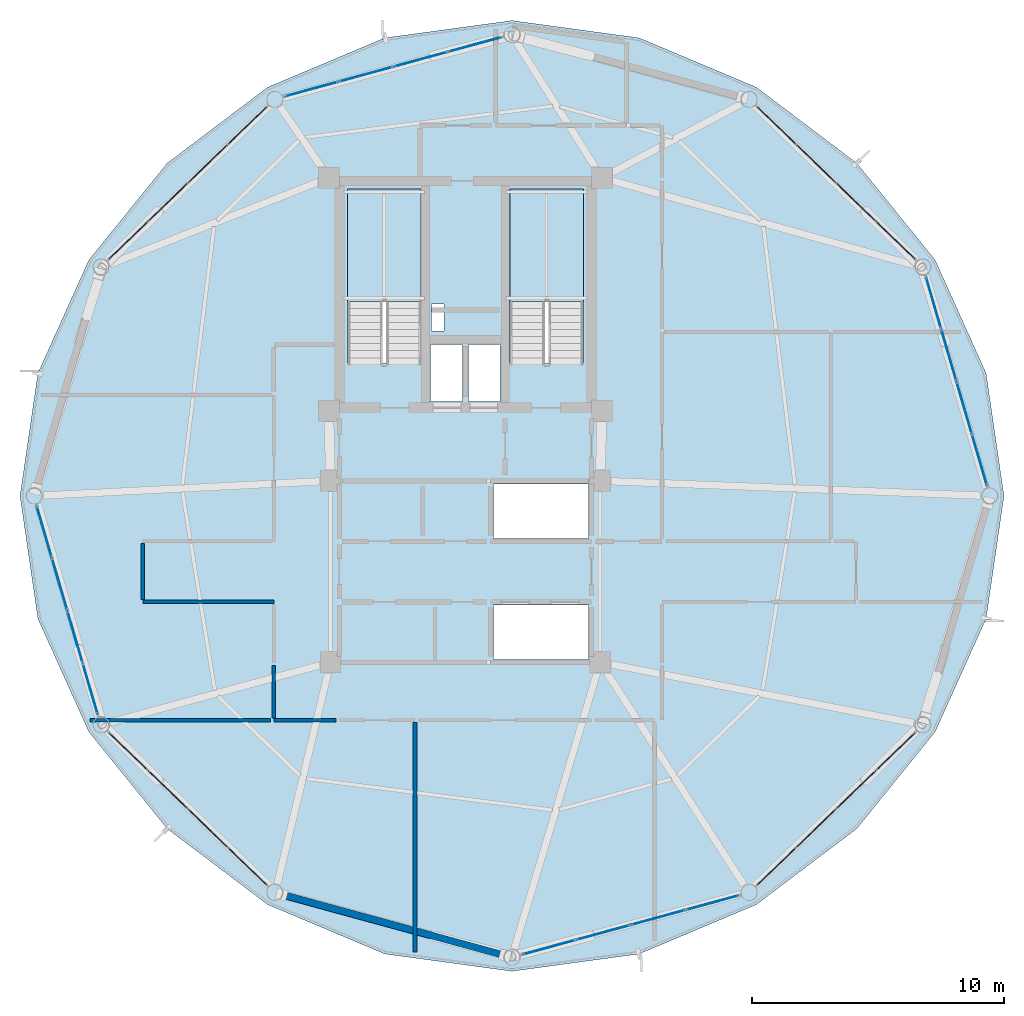
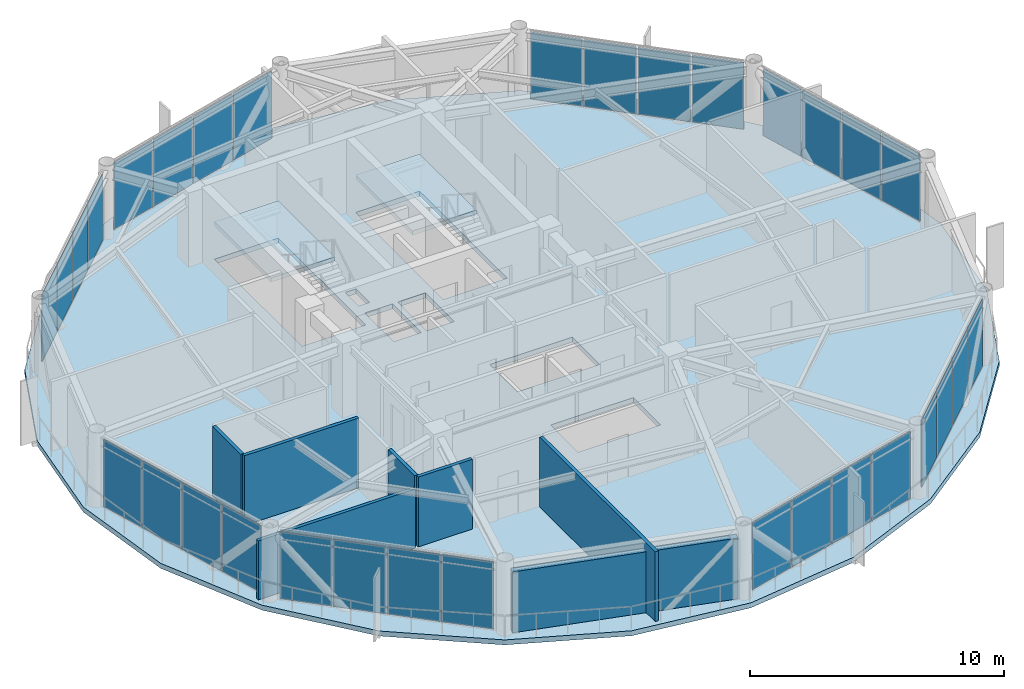
# One storey, part 20 of 26: 32 plates, 7 walls, 3 slabs, 10 elements without a shape of their own.
"""IFC4 building model written with IfcOpenShell, lengths in metres."""

from ifc_helpers import new_model, si_unit, direction, frame, frame_2d, origin, origin_2d, place, context, subcontext, project, spatial, polyline, rectangle, outline, extrude, source, transform, mapped, material, layer, layer_set, type_object, type_shapes, element, aggregate, save


model = new_model("IFC4")

# Units and contexts
model_context = context("Model", 3, precision=1e-05, world=origin(), true_north=direction((0.0, 1.0)))
body_context = subcontext(model_context, "Body", "Model", "MODEL_VIEW")
ifc_project = project(units=[si_unit("LENGTHUNIT", "METRE"), si_unit("AREAUNIT", "SQUARE_METRE"), si_unit("VOLUMEUNIT", "CUBIC_METRE"), si_unit("PLANEANGLEUNIT", "RADIAN"), si_unit("MASSUNIT", "GRAM", prefix="KILO")], contexts=[model_context])

# Site, building, storey
site_placement = place(None, origin())
site = spatial("IfcSite", under=ifc_project, at=site_placement, CompositionType="ELEMENT")
building_placement = place(site_placement, origin())
building = spatial("IfcBuilding", under=site, at=building_placement, Name="Varnakorn Sky Granary", CompositionType="ELEMENT")
storey_placement = place(building_placement, frame((0.0, 0.0, 222.0)))
storey = spatial("IfcBuildingStorey", under=building, at=storey_placement, Name="L56", CompositionType="ELEMENT", Elevation=222.0)

# Stair, slab
ifc_material_1 = material(Name="Concrete C40/50", Category="concrete")
stair_type = type_object("IfcStairType", Name="ST-MAIN-ASSEMBLY", PredefinedType="HALF_TURN_STAIR", material=ifc_material_1)
stair_1_placement = place(storey_placement, origin())
stair_1 = element("IfcStair", 1, at=stair_1_placement, inside=storey, type_object=stair_type, Name="L56 Protected Exit Stair ST-1", PredefinedType="HALF_TURN_STAIR")
ifc_layer_1 = layer(ifc_material_1, 0.199951171875, Name="Concrete C40/50")
ifc_layer_set_1 = layer_set([ifc_layer_1], Name="Concrete C40/50")
slab_type_1 = type_object("IfcSlabType", Name="ST-MAIN-LAND", PredefinedType="LANDING", material=ifc_layer_set_1)
slab_1_placement = place(storey_placement, frame((0.0, 0.0, 1.60009765625)))
slab_1 = element("IfcSlab", 2, at=slab_1_placement, type_object=slab_type_1, Name="ST-1 landing 1", PredefinedType="LANDING", context=body_context, shape_type="SweptSolid", body=[
    extrude(outline(polyline([(1.239990234375, 7.719970703125), (1.239990234375, 12.179931640625), (-1.669921875, 12.179931640625), (-1.669921875, 7.719970703125), (1.239990234375, 7.719970703125)])), origin(), (0.0, 0.0, 1.0), 0.199951171875),
])
aggregate(stair_1, [slab_1])

stair_2_placement = place(storey_placement, origin())
stair_2 = element("IfcStair", 3, at=stair_2_placement, inside=storey, type_object=stair_type, Name="L56 Protected Exit Stair ST-2", PredefinedType="HALF_TURN_STAIR")
slab_2_placement = place(storey_placement, frame((0.0, 0.0, 1.60009765625)))
slab_2 = element("IfcSlab", 4, at=slab_2_placement, type_object=slab_type_1, Name="ST-2 landing 1", PredefinedType="LANDING", context=body_context, shape_type="SweptSolid", body=[
    extrude(outline(polyline([(7.679931640625, 7.719970703125), (7.679931640625, 12.179931640625), (4.77001953125, 12.179931640625), (4.77001953125, 7.719970703125), (7.679931640625, 7.719970703125)])), origin(), (0.0, 0.0, 1.0), 0.199951171875),
])
aggregate(stair_2, [slab_2])

# Slab
ifc_material_2 = material(Name="Concrete C50/60", Category="concrete")
ifc_layer_2 = layer(ifc_material_2, 0.239990234375, Name="Concrete C50/60")
ifc_layer_set_2 = layer_set([ifc_layer_2], Name="Concrete C50/60")
slab_type_2 = type_object("IfcSlabType", Name="ST-SL-TWR-240", PredefinedType="FLOOR", material=ifc_layer_set_2)
slab_3_placement = place(storey_placement, frame((0.0, 0.0, -0.239990234375)))
element("IfcSlab", 5, at=slab_3_placement, inside=storey, type_object=slab_type_2, Name="Level L56 Structural Floor Slab", PredefinedType="FLOOR", context=body_context, shape_type="SweptSolid", body=[
    extrude(outline(polyline([(24.368896484375, 0.0), (23.660400390625, 4.86962890625), (21.636962890625, 9.362548828125), (18.524658203125, 13.208740234375), (14.5419921875, 16.21630859375), (9.89013671875, 18.173828125), (4.85009765625, 18.860107421875), (-0.190185546875, 18.173828125), (-4.842041015625, 16.21630859375), (-8.82470703125, 13.208740234375), (-11.93701171875, 9.362548828125), (-13.96044921875, 4.86962890625), (-14.6689453125, 0.0), (-13.96044921875, -4.86962890625), (-11.93701171875, -9.362548828125), (-8.82470703125, -13.208740234375), (-4.842041015625, -16.21630859375), (-0.190185546875, -18.173828125), (4.85009765625, -18.860107421875), (9.89013671875, -18.173828125), (14.5419921875, -16.21630859375), (18.524658203125, -13.208740234375), (21.636962890625, -9.362548828125), (23.660400390625, -4.86962890625), (24.368896484375, 0.0)]), holes=[polyline([(1.239990234375, 5.27490234375), (1.239990234375, 12.179931640625), (-1.669921875, 12.179931640625), (-1.669921875, 5.27490234375), (1.239990234375, 5.27490234375)]), polyline([(7.679931640625, 5.27490234375), (7.679931640625, 12.179931640625), (4.77001953125, 12.179931640625), (4.77001953125, 5.27490234375), (7.679931640625, 5.27490234375)]), polyline([(1.659912109375, 6.550048828125), (2.14990234375, 6.550048828125), (2.14990234375, 7.6201171875), (1.659912109375, 7.6201171875), (1.659912109375, 6.550048828125)]), polyline([(1.6201171875, 3.739990234375), (2.8798828125, 3.739990234375), (2.8798828125, 6.010009765625), (1.6201171875, 6.010009765625), (1.6201171875, 3.739990234375)]), polyline([(3.1201171875, 3.739990234375), (4.3798828125, 3.739990234375), (4.3798828125, 6.010009765625), (3.1201171875, 6.010009765625), (3.1201171875, 3.739990234375)]), polyline([(4.1201171875, -1.679931640625), (7.8798828125, -1.679931640625), (7.8798828125, 0.47998046875), (4.1201171875, 0.47998046875), (4.1201171875, -1.679931640625)]), polyline([(4.1201171875, -6.47998046875), (7.8798828125, -6.47998046875), (7.8798828125, -4.320068359375), (4.1201171875, -4.320068359375), (4.1201171875, -6.47998046875)])]), origin(), (0.0, 0.0, 1.0), 0.239990234375),
])

# Curtain wall, plates
ifc_material_3 = material(Name="Anodised Bronze Aluminium Alloy 6063-T6", Category="aluminium")
ifc_layer_3 = layer(ifc_material_3, 0.169921875, Name="Anodised Bronze Aluminium Alloy 6063-T6")
ifc_layer_set_3 = layer_set([ifc_layer_3], Name="Anodised Bronze Aluminium Alloy 6063-T6")
curtain_wall_type = type_object("IfcCurtainWallType", Name="CW-LAB-1", PredefinedType="USERDEFINED", material=ifc_layer_set_3)
curtain_wall_1_placement = place(storey_placement, origin())
curtain_wall_1 = element("IfcCurtainWall", 6, at=curtain_wall_1_placement, inside=storey, type_object=curtain_wall_type, Name="Unitised Curtain Wall CW5 CW-L56-B01", ObjectType="CURTAIN WALL", PredefinedType="USERDEFINED")
ifc_material_4 = material(Name="Opaque Insulated Aluminium Shadow-Box Unit", Category="aluminium")
ifc_layer_4 = layer(ifc_material_4, 0.033935546875, Name="Opaque Insulated Aluminium Shadow-Box Unit")
ifc_layer_set_4 = layer_set([ifc_layer_4], Name="Opaque Insulated Aluminium Shadow-Box Unit")
plate_type = type_object("IfcPlateType", Name="CW-LAB-1-PNL", PredefinedType="CURTAIN_PANEL")
shared_shape_1 = source(origin(), body_context, "Body", "SweptSolid", [
    extrude(rectangle(XDim=2.07470703125, YDim=0.033935546875, at=origin_2d()), origin(), (0.0, 0.0, 1.0), 3.219970703125),
])
plate_1_placement = place(storey_placement, frame((21.57958984375, 7.6552734375, 0.06982421875), z_axis=(0.0, 0.0, 1.0), x_axis=(0.280755241964, -0.959779398669, 0.0)))
plate_1 = element("IfcPlate", 7, at=plate_1_placement, type_object=plate_type, material=ifc_layer_set_4, Name="CW5 opaque insulated shadow-box unit 1.1", PredefinedType="CURTAIN_PANEL", context=body_context, shape_type="MappedRepresentation", body=[
    mapped(shared_shape_1, transform((0.0, 0.0, 0.0), x_axis=(1.0, 0.0, 0.0), y_axis=(0.0, 1.0, 0.0), z_axis=(0.0, 0.0, 1.0), scale=1.0)),
])
ifc_material_5 = material(Name="Low-E Tinted Laminated Glass", Category="glass")
ifc_layer_5 = layer(ifc_material_5, 0.033935546875, Name="Low-E Tinted Laminated Glass")
ifc_layer_set_5 = layer_set([ifc_layer_5], Name="Low-E Tinted Laminated Glass")
plate_2_placement = place(storey_placement, frame((23.400146484375, 1.432373046875, 0.06982421875), z_axis=(0.0, 0.0, 1.0), x_axis=(0.280755241964, -0.959779398669, 0.0)))
plate_2 = element("IfcPlate", 8, at=plate_2_placement, type_object=plate_type, material=ifc_layer_set_5, Name="CW5 vision glazing unit 4.1", PredefinedType="CURTAIN_PANEL", context=body_context, shape_type="MappedRepresentation", body=[
    mapped(shared_shape_1, transform((0.0, 0.0, 0.0), x_axis=(1.0, 0.0, 0.0), y_axis=(0.0, 1.0, 0.0), z_axis=(0.0, 0.0, 1.0), scale=1.0)),
])

curtain_wall_2_placement = place(storey_placement, origin())
curtain_wall_2 = element("IfcCurtainWall", 9, at=curtain_wall_2_placement, inside=storey, type_object=curtain_wall_type, Name="Unitised Curtain Wall CW5 CW-L56-B07", ObjectType="CURTAIN WALL", PredefinedType="USERDEFINED")
plate_3_placement = place(storey_placement, frame((-11.879638671875, -7.6552734375, 0.06982421875), z_axis=(0.0, 0.0, 1.0), x_axis=(-0.280755241964, 0.959779398669, 0.0)))
plate_3 = element("IfcPlate", 10, at=plate_3_placement, type_object=plate_type, material=ifc_layer_set_4, Name="CW5 opaque insulated shadow-box unit 1.1", PredefinedType="CURTAIN_PANEL", context=body_context, shape_type="MappedRepresentation", body=[
    mapped(shared_shape_1, transform((0.0, 0.0, 0.0), x_axis=(1.0, 0.0, 0.0), y_axis=(0.0, 1.0, 0.0), z_axis=(0.0, 0.0, 1.0), scale=1.0)),
])
plate_4_placement = place(storey_placement, frame((-13.699951171875, -1.432373046875, 0.06982421875), z_axis=(0.0, 0.0, 1.0), x_axis=(-0.280755241964, 0.959779398669, 0.0)))
plate_4 = element("IfcPlate", 11, at=plate_4_placement, type_object=plate_type, material=ifc_layer_set_5, Name="CW5 vision glazing unit 4.1", PredefinedType="CURTAIN_PANEL", context=body_context, shape_type="MappedRepresentation", body=[
    mapped(shared_shape_1, transform((0.0, 0.0, 0.0), x_axis=(1.0, 0.0, 0.0), y_axis=(0.0, 1.0, 0.0), z_axis=(0.0, 0.0, 1.0), scale=1.0)),
])

# Plate
shared_shape_2 = source(origin(), body_context, "Body", "SweptSolid", [
    extrude(rectangle(XDim=2.107177734375, YDim=0.033935546875, at=origin_2d()), origin(), (0.0, 0.0, 1.0), 3.219970703125),
])
plate_5_placement = place(storey_placement, frame((22.18505859375, 5.586181640625, 0.06982421875), z_axis=(0.0, 0.0, 1.0), x_axis=(0.280755241964, -0.959779398669, 0.0)))
plate_5 = element("IfcPlate", 12, at=plate_5_placement, type_object=plate_type, material=ifc_layer_set_4, Name="CW5 opaque insulated shadow-box unit 2.1", PredefinedType="CURTAIN_PANEL", context=body_context, shape_type="MappedRepresentation", body=[
    mapped(shared_shape_2, transform((0.0, 0.0, 0.0), x_axis=(1.0, 0.0, 0.0), y_axis=(0.0, 1.0, 0.0), z_axis=(0.0, 0.0, 1.0), scale=1.0)),
])

plate_6_placement = place(storey_placement, frame((22.794677734375, 3.50146484375, 0.06982421875), z_axis=(0.0, 0.0, 1.0), x_axis=(0.280755241964, -0.959779398669, 0.0)))
plate_6 = element("IfcPlate", 13, at=plate_6_placement, type_object=plate_type, material=ifc_layer_set_5, Name="CW5 vision glazing unit 3.1", PredefinedType="CURTAIN_PANEL", context=body_context, shape_type="MappedRepresentation", body=[
    mapped(shared_shape_2, transform((0.0, 0.0, 0.0), x_axis=(1.0, 0.0, 0.0), y_axis=(0.0, 1.0, 0.0), z_axis=(0.0, 0.0, 1.0), scale=1.0)),
])

aggregate(curtain_wall_1, [plate_1, plate_5, plate_6, plate_2])

plate_7_placement = place(storey_placement, frame((-12.48486328125, -5.586181640625, 0.06982421875), z_axis=(0.0, 0.0, 1.0), x_axis=(-0.280755241964, 0.959779398669, 0.0)))
plate_7 = element("IfcPlate", 14, at=plate_7_placement, type_object=plate_type, material=ifc_layer_set_4, Name="CW5 opaque insulated shadow-box unit 2.1", PredefinedType="CURTAIN_PANEL", context=body_context, shape_type="MappedRepresentation", body=[
    mapped(shared_shape_2, transform((0.0, 0.0, 0.0), x_axis=(1.0, 0.0, 0.0), y_axis=(0.0, 1.0, 0.0), z_axis=(0.0, 0.0, 1.0), scale=1.0)),
])

plate_8_placement = place(storey_placement, frame((-13.0947265625, -3.50146484375, 0.06982421875), z_axis=(0.0, 0.0, 1.0), x_axis=(-0.280755241964, 0.959779398669, 0.0)))
plate_8 = element("IfcPlate", 15, at=plate_8_placement, type_object=plate_type, material=ifc_layer_set_5, Name="CW5 vision glazing unit 3.1", PredefinedType="CURTAIN_PANEL", context=body_context, shape_type="MappedRepresentation", body=[
    mapped(shared_shape_2, transform((0.0, 0.0, 0.0), x_axis=(1.0, 0.0, 0.0), y_axis=(0.0, 1.0, 0.0), z_axis=(0.0, 0.0, 1.0), scale=1.0)),
])

aggregate(curtain_wall_2, [plate_3, plate_7, plate_8, plate_4])

# Curtain wall, plates
curtain_wall_3_placement = place(storey_placement, origin())
curtain_wall_3 = element("IfcCurtainWall", 16, at=curtain_wall_3_placement, inside=storey, type_object=curtain_wall_type, Name="Unitised Curtain Wall CW5 CW-L56-B02", ObjectType="CURTAIN WALL", PredefinedType="USERDEFINED")
shared_shape_3 = source(origin(), body_context, "Body", "SweptSolid", [
    extrude(rectangle(XDim=2.1025390625, YDim=0.033935546875, at=origin_2d()), origin(), (0.0, 0.0, 1.0), 3.219970703125),
])
plate_9_placement = place(storey_placement, frame((15.350830078125, 14.694091796875, 0.06982421875), z_axis=(0.0, 0.0, 1.0), x_axis=(0.719585291222, -0.694404067281, 0.0)))
plate_9 = element("IfcPlate", 17, at=plate_9_placement, type_object=plate_type, material=ifc_layer_set_5, Name="CW5 vision glazing unit 1.1", PredefinedType="CURTAIN_PANEL", context=body_context, shape_type="MappedRepresentation", body=[
    mapped(shared_shape_3, transform((0.0, 0.0, 0.0), x_axis=(1.0, 0.0, 0.0), y_axis=(0.0, 1.0, 0.0), z_axis=(0.0, 0.0, 1.0), scale=1.0)),
])
plate_10_placement = place(storey_placement, frame((20.076904296875, 10.133544921875, 0.06982421875), z_axis=(0.0, 0.0, 1.0), x_axis=(0.719585291222, -0.694404067281, 0.0)))
plate_10 = element("IfcPlate", 18, at=plate_10_placement, type_object=plate_type, material=ifc_layer_set_4, Name="CW5 opaque insulated shadow-box unit 4.1", PredefinedType="CURTAIN_PANEL", context=body_context, shape_type="MappedRepresentation", body=[
    mapped(shared_shape_3, transform((0.0, 0.0, 0.0), x_axis=(1.0, 0.0, 0.0), y_axis=(0.0, 1.0, 0.0), z_axis=(0.0, 0.0, 1.0), scale=1.0)),
])

curtain_wall_4_placement = place(storey_placement, origin())
curtain_wall_4 = element("IfcCurtainWall", 19, at=curtain_wall_4_placement, inside=storey, type_object=curtain_wall_type, Name="Unitised Curtain Wall CW5 CW-L56-B05", ObjectType="CURTAIN WALL", PredefinedType="USERDEFINED")
plate_11_placement = place(storey_placement, frame((-10.376953125, 10.133544921875, 0.06982421875), z_axis=(0.0, 0.0, 1.0), x_axis=(0.719585291222, 0.694404067281, 0.0)))
plate_11 = element("IfcPlate", 20, at=plate_11_placement, type_object=plate_type, material=ifc_layer_set_4, Name="CW5 opaque insulated shadow-box unit 1.1", PredefinedType="CURTAIN_PANEL", context=body_context, shape_type="MappedRepresentation", body=[
    mapped(shared_shape_3, transform((0.0, 0.0, 0.0), x_axis=(1.0, 0.0, 0.0), y_axis=(0.0, 1.0, 0.0), z_axis=(0.0, 0.0, 1.0), scale=1.0)),
])
plate_12_placement = place(storey_placement, frame((-5.65087890625, 14.694091796875, 0.06982421875), z_axis=(0.0, 0.0, 1.0), x_axis=(0.719585291222, 0.694404067281, 0.0)))
plate_12 = element("IfcPlate", 21, at=plate_12_placement, type_object=plate_type, material=ifc_layer_set_5, Name="CW5 vision glazing unit 4.1", PredefinedType="CURTAIN_PANEL", context=body_context, shape_type="MappedRepresentation", body=[
    mapped(shared_shape_3, transform((0.0, 0.0, 0.0), x_axis=(1.0, 0.0, 0.0), y_axis=(0.0, 1.0, 0.0), z_axis=(0.0, 0.0, 1.0), scale=1.0)),
])

curtain_wall_5_placement = place(storey_placement, origin())
curtain_wall_5 = element("IfcCurtainWall", 22, at=curtain_wall_5_placement, inside=storey, type_object=curtain_wall_type, Name="Unitised Curtain Wall CW5 CW-L56-B08", ObjectType="CURTAIN WALL", PredefinedType="USERDEFINED")
plate_13_placement = place(storey_placement, frame((-5.65087890625, -14.694091796875, 0.06982421875), z_axis=(0.0, 0.0, 1.0), x_axis=(-0.719585291222, 0.694404067281, 0.0)))
plate_13 = element("IfcPlate", 23, at=plate_13_placement, type_object=plate_type, material=ifc_layer_set_5, Name="CW5 vision glazing unit 1.1", PredefinedType="CURTAIN_PANEL", context=body_context, shape_type="MappedRepresentation", body=[
    mapped(shared_shape_3, transform((0.0, 0.0, 0.0), x_axis=(1.0, 0.0, 0.0), y_axis=(0.0, 1.0, 0.0), z_axis=(0.0, 0.0, 1.0), scale=1.0)),
])
plate_14_placement = place(storey_placement, frame((-10.376953125, -10.133544921875, 0.06982421875), z_axis=(0.0, 0.0, 1.0), x_axis=(-0.719585291222, 0.694404067281, 0.0)))
plate_14 = element("IfcPlate", 24, at=plate_14_placement, type_object=plate_type, material=ifc_layer_set_4, Name="CW5 opaque insulated shadow-box unit 4.1", PredefinedType="CURTAIN_PANEL", context=body_context, shape_type="MappedRepresentation", body=[
    mapped(shared_shape_3, transform((0.0, 0.0, 0.0), x_axis=(1.0, 0.0, 0.0), y_axis=(0.0, 1.0, 0.0), z_axis=(0.0, 0.0, 1.0), scale=1.0)),
])

curtain_wall_6_placement = place(storey_placement, origin())
curtain_wall_6 = element("IfcCurtainWall", 25, at=curtain_wall_6_placement, inside=storey, type_object=curtain_wall_type, Name="Unitised Curtain Wall CW5 CW-L56-B11", ObjectType="CURTAIN WALL", PredefinedType="USERDEFINED")
plate_15_placement = place(storey_placement, frame((20.076904296875, -10.133544921875, 0.06982421875), z_axis=(0.0, 0.0, 1.0), x_axis=(-0.719585291222, -0.694404067281, 0.0)))
plate_15 = element("IfcPlate", 26, at=plate_15_placement, type_object=plate_type, material=ifc_layer_set_4, Name="CW5 opaque insulated shadow-box unit 1.1", PredefinedType="CURTAIN_PANEL", context=body_context, shape_type="MappedRepresentation", body=[
    mapped(shared_shape_3, transform((0.0, 0.0, 0.0), x_axis=(1.0, 0.0, 0.0), y_axis=(0.0, 1.0, 0.0), z_axis=(0.0, 0.0, 1.0), scale=1.0)),
])
plate_16_placement = place(storey_placement, frame((15.350830078125, -14.694091796875, 0.06982421875), z_axis=(0.0, 0.0, 1.0), x_axis=(-0.719585291222, -0.694404067281, 0.0)))
plate_16 = element("IfcPlate", 27, at=plate_16_placement, type_object=plate_type, material=ifc_layer_set_5, Name="CW5 vision glazing unit 4.1", PredefinedType="CURTAIN_PANEL", context=body_context, shape_type="MappedRepresentation", body=[
    mapped(shared_shape_3, transform((0.0, 0.0, 0.0), x_axis=(1.0, 0.0, 0.0), y_axis=(0.0, 1.0, 0.0), z_axis=(0.0, 0.0, 1.0), scale=1.0)),
])

# Plate
shared_shape_4 = source(origin(), body_context, "Body", "SweptSolid", [
    extrude(rectangle(XDim=2.135009765625, YDim=0.033935546875, at=origin_2d()), origin(), (0.0, 0.0, 1.0), 3.219970703125),
])
plate_17_placement = place(storey_placement, frame((16.92236328125, 13.177734375, 0.06982421875), z_axis=(0.0, 0.0, 1.0), x_axis=(0.719585291222, -0.694404067281, 0.0)))
plate_17 = element("IfcPlate", 28, at=plate_17_placement, type_object=plate_type, material=ifc_layer_set_5, Name="CW5 vision glazing unit 2.1", PredefinedType="CURTAIN_PANEL", context=body_context, shape_type="MappedRepresentation", body=[
    mapped(shared_shape_4, transform((0.0, 0.0, 0.0), x_axis=(1.0, 0.0, 0.0), y_axis=(0.0, 1.0, 0.0), z_axis=(0.0, 0.0, 1.0), scale=1.0)),
])

plate_18_placement = place(storey_placement, frame((18.50537109375, 11.64990234375, 0.06982421875), z_axis=(0.0, 0.0, 1.0), x_axis=(0.719585291222, -0.694404067281, 0.0)))
plate_18 = element("IfcPlate", 29, at=plate_18_placement, type_object=plate_type, material=ifc_layer_set_4, Name="CW5 opaque insulated shadow-box unit 3.1", PredefinedType="CURTAIN_PANEL", context=body_context, shape_type="MappedRepresentation", body=[
    mapped(shared_shape_4, transform((0.0, 0.0, 0.0), x_axis=(1.0, 0.0, 0.0), y_axis=(0.0, 1.0, 0.0), z_axis=(0.0, 0.0, 1.0), scale=1.0)),
])

aggregate(curtain_wall_3, [plate_9, plate_17, plate_18, plate_10])

plate_19_placement = place(storey_placement, frame((-8.805419921875, 11.64990234375, 0.06982421875), z_axis=(0.0, 0.0, 1.0), x_axis=(0.719585291222, 0.694404067281, 0.0)))
plate_19 = element("IfcPlate", 30, at=plate_19_placement, type_object=plate_type, material=ifc_layer_set_4, Name="CW5 opaque insulated shadow-box unit 2.1", PredefinedType="CURTAIN_PANEL", context=body_context, shape_type="MappedRepresentation", body=[
    mapped(shared_shape_4, transform((0.0, 0.0, 0.0), x_axis=(1.0, 0.0, 0.0), y_axis=(0.0, 1.0, 0.0), z_axis=(0.0, 0.0, 1.0), scale=1.0)),
])

plate_20_placement = place(storey_placement, frame((-7.22216796875, 13.177734375, 0.06982421875), z_axis=(0.0, 0.0, 1.0), x_axis=(0.719585291222, 0.694404067281, 0.0)))
plate_20 = element("IfcPlate", 31, at=plate_20_placement, type_object=plate_type, material=ifc_layer_set_5, Name="CW5 vision glazing unit 3.1", PredefinedType="CURTAIN_PANEL", context=body_context, shape_type="MappedRepresentation", body=[
    mapped(shared_shape_4, transform((0.0, 0.0, 0.0), x_axis=(1.0, 0.0, 0.0), y_axis=(0.0, 1.0, 0.0), z_axis=(0.0, 0.0, 1.0), scale=1.0)),
])

aggregate(curtain_wall_4, [plate_11, plate_19, plate_20, plate_12])

plate_21_placement = place(storey_placement, frame((-7.22216796875, -13.177734375, 0.06982421875), z_axis=(0.0, 0.0, 1.0), x_axis=(-0.719585291222, 0.694404067281, 0.0)))
plate_21 = element("IfcPlate", 32, at=plate_21_placement, type_object=plate_type, material=ifc_layer_set_5, Name="CW5 vision glazing unit 2.1", PredefinedType="CURTAIN_PANEL", context=body_context, shape_type="MappedRepresentation", body=[
    mapped(shared_shape_4, transform((0.0, 0.0, 0.0), x_axis=(1.0, 0.0, 0.0), y_axis=(0.0, 1.0, 0.0), z_axis=(0.0, 0.0, 1.0), scale=1.0)),
])

plate_22_placement = place(storey_placement, frame((-8.805419921875, -11.64990234375, 0.06982421875), z_axis=(0.0, 0.0, 1.0), x_axis=(-0.719585291222, 0.694404067281, 0.0)))
plate_22 = element("IfcPlate", 33, at=plate_22_placement, type_object=plate_type, material=ifc_layer_set_4, Name="CW5 opaque insulated shadow-box unit 3.1", PredefinedType="CURTAIN_PANEL", context=body_context, shape_type="MappedRepresentation", body=[
    mapped(shared_shape_4, transform((0.0, 0.0, 0.0), x_axis=(1.0, 0.0, 0.0), y_axis=(0.0, 1.0, 0.0), z_axis=(0.0, 0.0, 1.0), scale=1.0)),
])

aggregate(curtain_wall_5, [plate_13, plate_21, plate_22, plate_14])

plate_23_placement = place(storey_placement, frame((18.50537109375, -11.64990234375, 0.06982421875), z_axis=(0.0, 0.0, 1.0), x_axis=(-0.719585291222, -0.694404067281, 0.0)))
plate_23 = element("IfcPlate", 34, at=plate_23_placement, type_object=plate_type, material=ifc_layer_set_4, Name="CW5 opaque insulated shadow-box unit 2.1", PredefinedType="CURTAIN_PANEL", context=body_context, shape_type="MappedRepresentation", body=[
    mapped(shared_shape_4, transform((0.0, 0.0, 0.0), x_axis=(1.0, 0.0, 0.0), y_axis=(0.0, 1.0, 0.0), z_axis=(0.0, 0.0, 1.0), scale=1.0)),
])

plate_24_placement = place(storey_placement, frame((16.92236328125, -13.177734375, 0.06982421875), z_axis=(0.0, 0.0, 1.0), x_axis=(-0.719585291222, -0.694404067281, 0.0)))
plate_24 = element("IfcPlate", 35, at=plate_24_placement, type_object=plate_type, material=ifc_layer_set_5, Name="CW5 vision glazing unit 3.1", PredefinedType="CURTAIN_PANEL", context=body_context, shape_type="MappedRepresentation", body=[
    mapped(shared_shape_4, transform((0.0, 0.0, 0.0), x_axis=(1.0, 0.0, 0.0), y_axis=(0.0, 1.0, 0.0), z_axis=(0.0, 0.0, 1.0), scale=1.0)),
])

aggregate(curtain_wall_6, [plate_15, plate_23, plate_24, plate_16])

# Curtain wall, plates
curtain_wall_7_placement = place(storey_placement, origin())
curtain_wall_7 = element("IfcCurtainWall", 36, at=curtain_wall_7_placement, inside=storey, type_object=curtain_wall_type, Name="Unitised Curtain Wall CW5 CW-L56-B04", ObjectType="CURTAIN WALL", PredefinedType="USERDEFINED")
shared_shape_5 = source(origin(), body_context, "Body", "SweptSolid", [
    extrude(rectangle(XDim=2.14794921875, YDim=0.033935546875, at=origin_2d()), origin(), (0.0, 0.0, 1.0), 3.219970703125),
])
plate_25_placement = place(storey_placement, frame((-3.092041015625, 16.142578125, 0.06982421875), z_axis=(0.0, 0.0, 1.0), x_axis=(0.96472064241, 0.263275677014, 0.0)))
plate_25 = element("IfcPlate", 37, at=plate_25_placement, type_object=plate_type, material=ifc_layer_set_5, Name="CW5 vision glazing unit 1.1", PredefinedType="CURTAIN_PANEL", context=body_context, shape_type="MappedRepresentation", body=[
    mapped(shared_shape_5, transform((0.0, 0.0, 0.0), x_axis=(1.0, 0.0, 0.0), y_axis=(0.0, 1.0, 0.0), z_axis=(0.0, 0.0, 1.0), scale=1.0)),
])
plate_26_placement = place(storey_placement, frame((3.375, 17.907470703125, 0.06982421875), z_axis=(0.0, 0.0, 1.0), x_axis=(0.96472064241, 0.263275677014, 0.0)))
plate_26 = element("IfcPlate", 38, at=plate_26_placement, type_object=plate_type, material=ifc_layer_set_4, Name="CW5 opaque insulated shadow-box unit 4.1", PredefinedType="CURTAIN_PANEL", context=body_context, shape_type="MappedRepresentation", body=[
    mapped(shared_shape_5, transform((0.0, 0.0, 0.0), x_axis=(1.0, 0.0, 0.0), y_axis=(0.0, 1.0, 0.0), z_axis=(0.0, 0.0, 1.0), scale=1.0)),
])

curtain_wall_8_placement = place(storey_placement, origin())
curtain_wall_8 = element("IfcCurtainWall", 39, at=curtain_wall_8_placement, inside=storey, type_object=curtain_wall_type, Name="Unitised Curtain Wall CW5 CW-L56-B10", ObjectType="CURTAIN WALL", PredefinedType="USERDEFINED")
plate_27_placement = place(storey_placement, frame((12.7919921875, -16.142578125, 0.06982421875), z_axis=(0.0, 0.0, 1.0), x_axis=(-0.96472064241, -0.263275677014, 0.0)))
plate_27 = element("IfcPlate", 40, at=plate_27_placement, type_object=plate_type, material=ifc_layer_set_5, Name="CW5 vision glazing unit 1.1", PredefinedType="CURTAIN_PANEL", context=body_context, shape_type="MappedRepresentation", body=[
    mapped(shared_shape_5, transform((0.0, 0.0, 0.0), x_axis=(1.0, 0.0, 0.0), y_axis=(0.0, 1.0, 0.0), z_axis=(0.0, 0.0, 1.0), scale=1.0)),
])
plate_28_placement = place(storey_placement, frame((6.324951171875, -17.907470703125, 0.06982421875), z_axis=(0.0, 0.0, 1.0), x_axis=(-0.96472064241, -0.263275677014, 0.0)))
plate_28 = element("IfcPlate", 41, at=plate_28_placement, type_object=plate_type, material=ifc_layer_set_4, Name="CW5 opaque insulated shadow-box unit 4.1", PredefinedType="CURTAIN_PANEL", context=body_context, shape_type="MappedRepresentation", body=[
    mapped(shared_shape_5, transform((0.0, 0.0, 0.0), x_axis=(1.0, 0.0, 0.0), y_axis=(0.0, 1.0, 0.0), z_axis=(0.0, 0.0, 1.0), scale=1.0)),
])

# Plate
shared_shape_6 = source(origin(), body_context, "Body", "SweptSolid", [
    extrude(rectangle(XDim=2.180419921875, YDim=0.033935546875, at=origin_2d()), origin(), (0.0, 0.0, 1.0), 3.219970703125),
])
type_shapes(plate_type, [shared_shape_1, shared_shape_2, shared_shape_3, shared_shape_4, shared_shape_5, shared_shape_6])
plate_29_placement = place(storey_placement, frame((-0.941650390625, 16.7294921875, 0.06982421875), z_axis=(0.0, 0.0, 1.0), x_axis=(0.96472064241, 0.263275677014, 0.0)))
plate_29 = element("IfcPlate", 42, at=plate_29_placement, type_object=plate_type, material=ifc_layer_set_5, Name="CW5 vision glazing unit 2.1", PredefinedType="CURTAIN_PANEL", context=body_context, shape_type="MappedRepresentation", body=[
    mapped(shared_shape_6, transform((0.0, 0.0, 0.0), x_axis=(1.0, 0.0, 0.0), y_axis=(0.0, 1.0, 0.0), z_axis=(0.0, 0.0, 1.0), scale=1.0)),
])

plate_30_placement = place(storey_placement, frame((1.224609375, 17.320556640625, 0.06982421875), z_axis=(0.0, 0.0, 1.0), x_axis=(0.96472064241, 0.263275677014, 0.0)))
plate_30 = element("IfcPlate", 43, at=plate_30_placement, type_object=plate_type, material=ifc_layer_set_4, Name="CW5 opaque insulated shadow-box unit 3.1", PredefinedType="CURTAIN_PANEL", context=body_context, shape_type="MappedRepresentation", body=[
    mapped(shared_shape_6, transform((0.0, 0.0, 0.0), x_axis=(1.0, 0.0, 0.0), y_axis=(0.0, 1.0, 0.0), z_axis=(0.0, 0.0, 1.0), scale=1.0)),
])

aggregate(curtain_wall_7, [plate_25, plate_29, plate_30, plate_26])

plate_31_placement = place(storey_placement, frame((10.6416015625, -16.7294921875, 0.06982421875), z_axis=(0.0, 0.0, 1.0), x_axis=(-0.96472064241, -0.263275677014, 0.0)))
plate_31 = element("IfcPlate", 44, at=plate_31_placement, type_object=plate_type, material=ifc_layer_set_5, Name="CW5 vision glazing unit 2.1", PredefinedType="CURTAIN_PANEL", context=body_context, shape_type="MappedRepresentation", body=[
    mapped(shared_shape_6, transform((0.0, 0.0, 0.0), x_axis=(1.0, 0.0, 0.0), y_axis=(0.0, 1.0, 0.0), z_axis=(0.0, 0.0, 1.0), scale=1.0)),
])

plate_32_placement = place(storey_placement, frame((8.475341796875, -17.320556640625, 0.06982421875), z_axis=(0.0, 0.0, 1.0), x_axis=(-0.96472064241, -0.263275677014, 0.0)))
plate_32 = element("IfcPlate", 45, at=plate_32_placement, type_object=plate_type, material=ifc_layer_set_4, Name="CW5 opaque insulated shadow-box unit 3.1", PredefinedType="CURTAIN_PANEL", context=body_context, shape_type="MappedRepresentation", body=[
    mapped(shared_shape_6, transform((0.0, 0.0, 0.0), x_axis=(1.0, 0.0, 0.0), y_axis=(0.0, 1.0, 0.0), z_axis=(0.0, 0.0, 1.0), scale=1.0)),
])

aggregate(curtain_wall_8, [plate_27, plate_31, plate_32, plate_28])

# Walls
ifc_material_6 = material(Name="Precast concrete C40/50", Category="concrete")
ifc_layer_6 = layer(ifc_material_6, 0.280029296875, Name="Precast concrete C40/50")
ifc_layer_set_6 = layer_set([ifc_layer_6], Name="Precast concrete C40/50")
wall_type_1 = type_object("IfcWallType", Name="WT-EW-CRN-280", PredefinedType="SOLIDWALL", material=ifc_layer_set_6)
wall_1_placement = place(storey_placement, frame((4.5751953125, -18.235107421875, 0.0), z_axis=(0.0, 0.0, 1.0), x_axis=(-0.964712927754, 0.263303944186, 0.0)))
element("IfcWall", 46, at=wall_1_placement, inside=storey, type_object=wall_type_1, Name="Agritech Insulated Precast Facade Wall L56-P09", PredefinedType="SOLIDWALL", context=body_context, shape_type="SweptSolid", body=[
    extrude(rectangle(XDim=9.191650390625, YDim=0.280029296875, at=frame_2d((4.595703125, 0.0))), origin(), (0.0, 0.0, 1.0), 2.929931640625),
])
ifc_material_7 = material(Name="Gypsum Plasterboard on Steel Stud", Category="steel")
ifc_layer_7 = layer(ifc_material_7, 0.14990234375, Name="Gypsum Plasterboard on Steel Stud")
ifc_layer_set_7 = layer_set([ifc_layer_7], Name="Gypsum Plasterboard on Steel Stud")
wall_type_2 = type_object("IfcWallType", Name="WT-PART-150", PredefinedType="PARTITIONING", material=ifc_layer_set_7)
wall_2_placement = place(storey_placement, frame((-4.60009765625, -8.89990234375, 0.0), z_axis=(0.0, 0.0, 1.0), x_axis=(1.0, 0.0, 0.0)))
element("IfcWall", 47, at=wall_2_placement, inside=storey, type_object=wall_type_2, Name="Interior Partition Wall L56-035", PredefinedType="PARTITIONING", context=body_context, shape_type="SweptSolid", body=[
    extrude(rectangle(XDim=2.465087890625, YDim=0.14990234375, at=frame_2d((1.232421875, 0.0))), origin(), (0.0, 0.0, 1.0), 3.360107421875),
])
wall_3_placement = place(storey_placement, frame((1.0, -8.985107421875, 0.0), z_axis=(0.0, 0.0, 1.0), x_axis=(0.0, -1.0, 0.0)))
element("IfcWall", 48, at=wall_3_placement, inside=storey, type_object=wall_type_2, Name="Interior Partition Wall L56-036", PredefinedType="PARTITIONING", context=body_context, shape_type="SweptSolid", body=[
    extrude(rectangle(XDim=9.11083984375, YDim=0.14990234375, at=frame_2d((4.555419921875, 0.0))), origin(), (0.0, 0.0, 1.0), 3.360107421875),
])
wall_4_placement = place(storey_placement, frame((-11.884033203125, -8.89990234375, 0.0), z_axis=(0.0, 0.0, 1.0), x_axis=(1.0, 0.0, 0.0)))
element("IfcWall", 49, at=wall_4_placement, inside=storey, type_object=wall_type_2, Name="Interior Partition Wall L56-037", PredefinedType="PARTITIONING", context=body_context, shape_type="SweptSolid", body=[
    extrude(rectangle(XDim=7.14892578125, YDim=0.14990234375, at=frame_2d((3.574462890625, 0.0))), origin(), (0.0, 0.0, 1.0), 2.842041015625),
])
wall_5_placement = place(storey_placement, frame((-9.800048828125, -4.199951171875, 0.0), z_axis=(0.0, 0.0, 1.0), x_axis=(1.0, 0.0, 0.0)))
element("IfcWall", 50, at=wall_5_placement, inside=storey, type_object=wall_type_2, Name="Interior Partition Wall L56-044", PredefinedType="PARTITIONING", context=body_context, shape_type="SweptSolid", body=[
    extrude(rectangle(XDim=5.199951171875, YDim=0.14990234375, at=frame_2d((2.60009765625, 0.0))), origin(), (0.0, 0.0, 1.0), 3.360107421875),
])
wall_6_placement = place(storey_placement, frame((-9.800048828125, -1.885009765625, 0.0), z_axis=(0.0, 0.0, 1.0), x_axis=(0.0, -1.0, 0.0)))
element("IfcWall", 51, at=wall_6_placement, inside=storey, type_object=wall_type_2, Name="Interior Partition Wall L56-045", PredefinedType="PARTITIONING", context=body_context, shape_type="SweptSolid", body=[
    extrude(rectangle(XDim=2.22998046875, YDim=0.14990234375, at=frame_2d((1.114990234375, 0.0))), origin(), (0.0, 0.0, 1.0), 3.360107421875),
])
wall_7_placement = place(storey_placement, frame((-4.60009765625, -6.735107421875, 0.0), z_axis=(0.0, 0.0, 1.0), x_axis=(0.0, -1.0, 0.0)))
element("IfcWall", 52, at=wall_7_placement, inside=storey, type_object=wall_type_2, Name="Interior Partition Wall L56-047", PredefinedType="PARTITIONING", context=body_context, shape_type="SweptSolid", body=[
    extrude(rectangle(XDim=2.079833984375, YDim=0.14990234375, at=frame_2d((1.0400390625, 0.0))), origin(), (0.0, 0.0, 1.0), 3.360107421875),
])

save(model, "model.ifc")
